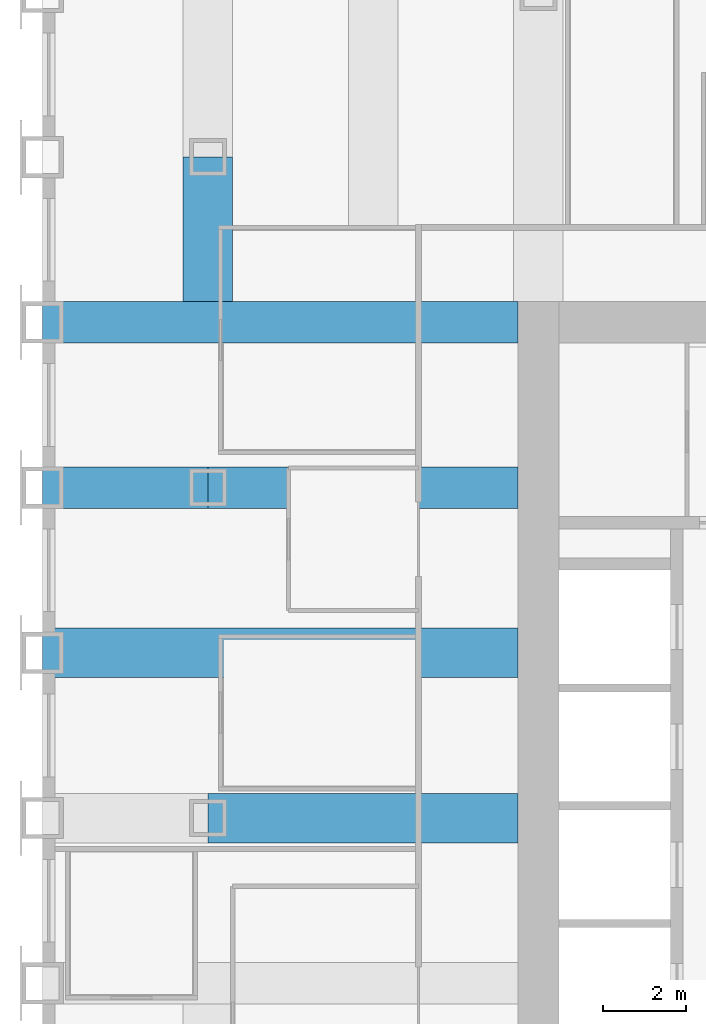
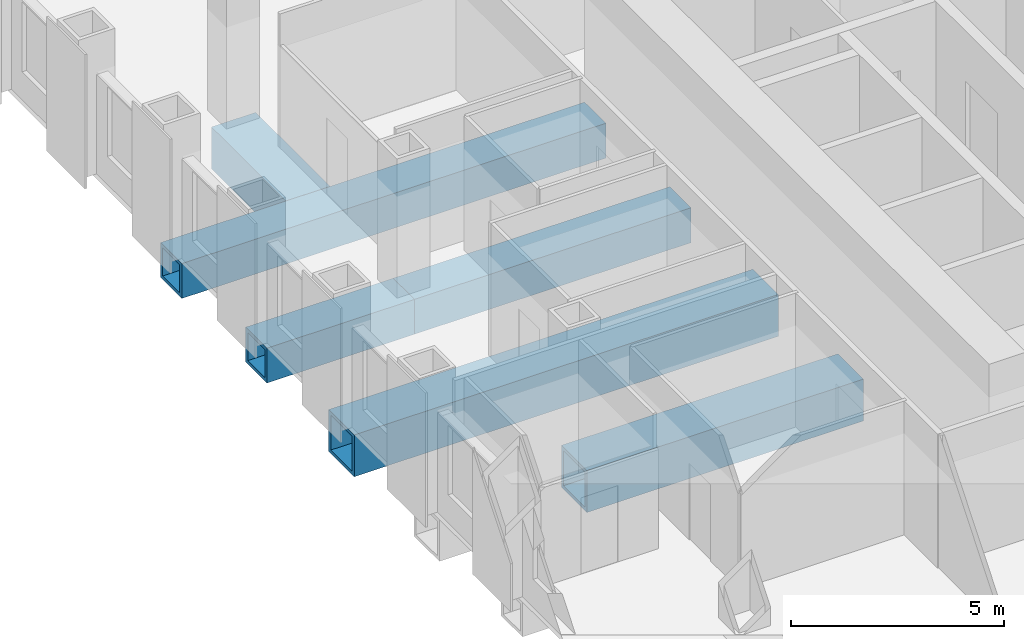
# One storey, part 3 of 13: 6 beams.
"""IFC4 building model written with IfcOpenShell, lengths in metres."""

from ifc_helpers import new_model, si_unit, direction, frame, origin, origin_2d, place, context, subcontext, project, spatial, hollow_rectangle, extrude, material, material_profile, profile_set, type_object, element, save


model = new_model("IFC4")

# Units and contexts
model_context = context("Model", 3, precision=1e-05, world=origin(), true_north=direction((0.0, 1.0)))
body_context = subcontext(model_context, "Body", "Model", "MODEL_VIEW")
ifc_project = project(units=[si_unit("LENGTHUNIT", "METRE"), si_unit("AREAUNIT", "SQUARE_METRE"), si_unit("VOLUMEUNIT", "CUBIC_METRE"), si_unit("PLANEANGLEUNIT", "RADIAN"), si_unit("MASSUNIT", "GRAM", prefix="KILO")], contexts=[model_context])

# Site, building, storey
site_placement = place(None, origin())
site = spatial("IfcSite", under=ifc_project, at=site_placement, CompositionType="ELEMENT")
building_placement = place(site_placement, origin())
building = spatial("IfcBuilding", under=site, at=building_placement, Name="Rimbunsela Tower", CompositionType="ELEMENT")
storey_placement = place(building_placement, frame((0.0, 0.0, 175.800048828125)))
storey = spatial("IfcBuildingStorey", under=building, at=storey_placement, Name="L42", CompositionType="ELEMENT", Elevation=175.800048828125)

# Beams
ifc_material_1 = material(Name="Steel BJ 55 (fy 410 MPa)", Category="steel")
ifc_material_profile_1 = material_profile(ifc_material_1, hollow_rectangle(XDim=1.0, YDim=1.0, WallThickness=0.10009765625, at=origin_2d()), Name="BOX 1000x1000x100")
ifc_profile_set_1 = profile_set([ifc_material_profile_1], Name="Steel BJ 55 (fy 410 MPa)")
beam_type_1 = type_object("IfcBeamType", Name="Beam BOX 1000x1000x100", PredefinedType="BEAM", material=ifc_profile_set_1)
beam_1_placement = place(storey_placement, frame((6.0, 32.0, -0.650146484375), z_axis=(1.0, 0.0, 0.0), x_axis=(0.0, 1.0, 0.0)))
element("IfcBeam", 1, at=beam_1_placement, inside=storey, type_object=beam_type_1, Name="Beam B3 L42", PredefinedType="BEAM", context=body_context, shape_type="SweptSolid", body=[
    extrude(hollow_rectangle(XDim=1.0, YDim=1.0, WallThickness=0.10009765625, at=origin_2d()), origin(), (0.0, 0.0, 1.0), 4.0),
])
beam_2_placement = place(storey_placement, frame((6.0, 36.0, -0.650146484375), z_axis=(1.0, 0.0, 0.0), x_axis=(0.0, 1.0, 0.0)))
element("IfcBeam", 2, at=beam_2_placement, inside=storey, type_object=beam_type_1, Name="Beam B3 L42", PredefinedType="BEAM", context=body_context, shape_type="SweptSolid", body=[
    extrude(hollow_rectangle(XDim=1.0, YDim=1.0, WallThickness=0.10009765625, at=origin_2d()), origin(), (0.0, 0.0, 1.0), 11.5),
])
beam_3_placement = place(storey_placement, frame((10.0, 32.0, -0.650146484375), z_axis=(1.0, 0.0, 0.0), x_axis=(0.0, 1.0, 0.0)))
element("IfcBeam", 3, at=beam_3_placement, inside=storey, type_object=beam_type_1, Name="Beam B3 L42", PredefinedType="BEAM", context=body_context, shape_type="SweptSolid", body=[
    extrude(hollow_rectangle(XDim=1.0, YDim=1.0, WallThickness=0.10009765625, at=origin_2d()), origin(), (0.0, 0.0, 1.0), 7.5),
])
ifc_material_2 = material(Name="Steel BJ 55 (fy 410 MPa)", Category="steel")
ifc_material_profile_2 = material_profile(ifc_material_2, hollow_rectangle(XDim=1.199951171875, YDim=1.199951171875, WallThickness=0.10009765625, at=origin_2d()), Name="BOX 1200x1200x100")
ifc_profile_set_2 = profile_set([ifc_material_profile_2], Name="Steel BJ 55 (fy 410 MPa)")
beam_type_2 = type_object("IfcBeamType", Name="Beam BOX 1200x1200x100", PredefinedType="BEAM", material=ifc_profile_set_2)
beam_4_placement = place(storey_placement, frame((6.0, 28.0, -0.75), z_axis=(1.0, 0.0, 0.0), x_axis=(0.0, 1.0, 0.0)))
element("IfcBeam", 4, at=beam_4_placement, inside=storey, type_object=beam_type_2, Name="Beam B5 L42", PredefinedType="BEAM", context=body_context, shape_type="SweptSolid", body=[
    extrude(hollow_rectangle(XDim=1.199951171875, YDim=1.199951171875, WallThickness=0.10009765625, at=origin_2d()), origin(), (0.0, 0.0, 1.0), 11.5),
])
beam_5_placement = place(storey_placement, frame((10.0, 24.0, -0.75), z_axis=(1.0, 0.0, 0.0), x_axis=(0.0, 1.0, 0.0)))
element("IfcBeam", 5, at=beam_5_placement, inside=storey, type_object=beam_type_2, Name="Beam B5 L42", PredefinedType="BEAM", context=body_context, shape_type="SweptSolid", body=[
    extrude(hollow_rectangle(XDim=1.199951171875, YDim=1.199951171875, WallThickness=0.10009765625, at=origin_2d()), origin(), (0.0, 0.0, 1.0), 7.5),
])
beam_6_placement = place(storey_placement, frame((10.0, 36.5, -0.75), z_axis=(0.0, 1.0, 0.0), x_axis=(-1.0, 0.0, 0.0)))
element("IfcBeam", 6, at=beam_6_placement, inside=storey, type_object=beam_type_2, Name="Beam B5 L42", PredefinedType="BEAM", context=body_context, shape_type="SweptSolid", body=[
    extrude(hollow_rectangle(XDim=1.199951171875, YDim=1.199951171875, WallThickness=0.10009765625, at=origin_2d()), origin(), (0.0, 0.0, 1.0), 3.5),
])

save(model, "model.ifc")
